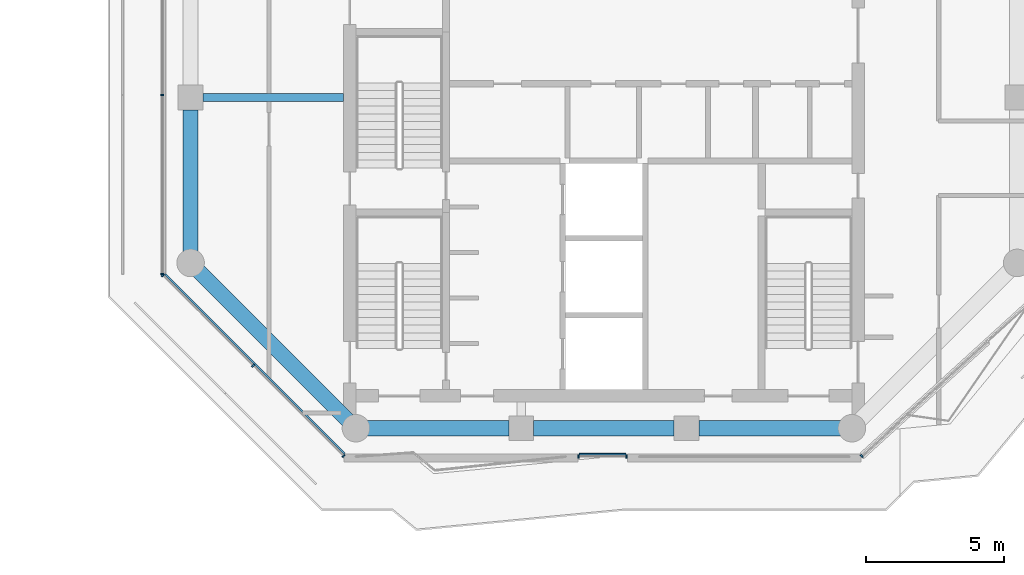
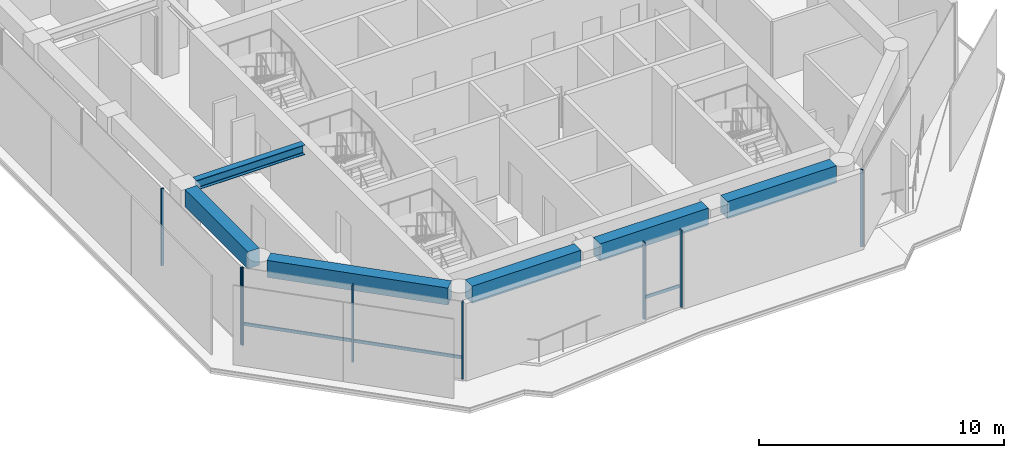
# One storey, part 2 of 23: 10 members, 6 beams, 4 elements without a shape of their own.
"""IFC4 building model written with IfcOpenShell, lengths in metres."""

from ifc_helpers import new_model, si_unit, direction, frame, origin, origin_2d, place, context, subcontext, project, spatial, rectangle, i_section, extrude, material, layer, layer_set, material_profile, profile_set, type_object, element, aggregate, save


model = new_model("IFC4")

# Units and contexts
model_context = context("Model", 3, precision=1e-05, world=origin(), true_north=direction((0.0, 1.0)))
body_context = subcontext(model_context, "Body", "Model", "MODEL_VIEW")
ifc_project = project(units=[si_unit("LENGTHUNIT", "METRE"), si_unit("AREAUNIT", "SQUARE_METRE"), si_unit("VOLUMEUNIT", "CUBIC_METRE"), si_unit("PLANEANGLEUNIT", "RADIAN"), si_unit("MASSUNIT", "GRAM", prefix="KILO")], contexts=[model_context])

# Site, building, storey
site_placement = place(None, origin())
site = spatial("IfcSite", under=ifc_project, at=site_placement, CompositionType="ELEMENT")
building_placement = place(site_placement, origin())
building = spatial("IfcBuilding", under=site, at=building_placement, Name="Welwitschia Terrace Campus", CompositionType="ELEMENT")
storey_placement = place(building_placement, frame((0.0, 0.0, 205.39990234375)))
storey = spatial("IfcBuildingStorey", under=building, at=storey_placement, Name="L45", CompositionType="ELEMENT", Elevation=205.39990234375)

# Curtain wall, members
ifc_material_1 = material(Name="Bronze anodised aluminium", Category="aluminium")
ifc_layer = layer(ifc_material_1, 0.1201171875)
ifc_layer_set = layer_set([ifc_layer], Name="Bronze anodised aluminium")
curtain_wall_type = type_object("IfcCurtainWallType", Name="Curtain wall CW2 tower 6000", PredefinedType="NOTDEFINED", material=ifc_layer_set)
curtain_wall_1_placement = place(storey_placement, origin())
curtain_wall_1 = element("IfcCurtainWall", 1, at=curtain_wall_1_placement, inside=storey, type_object=curtain_wall_type, Name="CW L45.0.0", PredefinedType="NOTDEFINED")
ifc_material_2 = material(Name="Bronze anodised aluminium", Category="aluminium")
ifc_material_profile_1 = material_profile(ifc_material_2, rectangle(XDim=0.1201171875, YDim=0.06005859375, at=origin_2d()))
ifc_profile_set_1 = profile_set([ifc_material_profile_1], Name="Bronze anodised aluminium")
member_type_1 = type_object("IfcMemberType", Name="Mullion 60x120", PredefinedType="MULLION", material=ifc_profile_set_1)
member_1_placement = place(storey_placement, frame((-1.030029296875, 16.096923828125, 0.0), z_axis=(0.0, 0.0, 1.0), x_axis=(1.0, 0.0, 0.0)))
member_1 = element("IfcMember", 2, at=member_1_placement, type_object=member_type_1, Name="Mullion L45.0.0.3", PredefinedType="MULLION", context=body_context, shape_type="SweptSolid", body=[
    extrude(rectangle(XDim=0.1201171875, YDim=0.06005859375, at=origin_2d()), origin(), (0.0, 0.0, 1.0), 3.85009765625),
])
member_2_placement = place(storey_placement, frame((-1.030029296875, 9.603271484375, 0.0), z_axis=(0.0, 0.0, 1.0), x_axis=(1.0, 0.0, 0.0)))
member_2 = element("IfcMember", 3, at=member_2_placement, type_object=member_type_1, Name="Mullion L45.0.0.4", PredefinedType="MULLION", context=body_context, shape_type="SweptSolid", body=[
    extrude(rectangle(XDim=0.1201171875, YDim=0.06005859375, at=origin_2d()), origin(), (0.0, 0.0, 1.0), 3.85009765625),
])
aggregate(curtain_wall_1, [member_1, member_2])

curtain_wall_2_placement = place(storey_placement, origin())
curtain_wall_2 = element("IfcCurtainWall", 4, at=curtain_wall_2_placement, inside=storey, type_object=curtain_wall_type, Name="CW L45.1.0", PredefinedType="NOTDEFINED")
member_3_placement = place(storey_placement, frame((-1.0087890625, 9.55224609375, 0.0), z_axis=(0.0, 0.0, 1.0), x_axis=(0.707106781187, 0.707106781187, 0.0)))
member_3 = element("IfcMember", 5, at=member_3_placement, type_object=member_type_1, Name="Mullion L45.1.0.0", PredefinedType="MULLION", context=body_context, shape_type="SweptSolid", body=[
    extrude(rectangle(XDim=0.1201171875, YDim=0.06005859375, at=origin_2d()), origin(), (0.0, 0.0, 1.0), 3.85009765625),
])
member_4_placement = place(storey_placement, frame((2.271728515625, 6.271728515625, 0.0), z_axis=(0.0, 0.0, 1.0), x_axis=(0.707106781187, 0.707106781187, 0.0)))
member_4 = element("IfcMember", 6, at=member_4_placement, type_object=member_type_1, Name="Mullion L45.1.0.1", PredefinedType="MULLION", context=body_context, shape_type="SweptSolid", body=[
    extrude(rectangle(XDim=0.1201171875, YDim=0.06005859375, at=origin_2d()), origin(), (0.0, 0.0, 1.0), 3.85009765625),
])
member_5_placement = place(storey_placement, frame((5.55224609375, 2.9912109375, 0.0), z_axis=(0.0, 0.0, 1.0), x_axis=(0.707106781187, 0.707106781187, 0.0)))
member_5 = element("IfcMember", 7, at=member_5_placement, type_object=member_type_1, Name="Mullion L45.1.0.2", PredefinedType="MULLION", context=body_context, shape_type="SweptSolid", body=[
    extrude(rectangle(XDim=0.1201171875, YDim=0.06005859375, at=origin_2d()), origin(), (0.0, 0.0, 1.0), 3.85009765625),
])

curtain_wall_3_placement = place(storey_placement, origin())
curtain_wall_3 = element("IfcCurtainWall", 8, at=curtain_wall_3_placement, inside=storey, type_object=curtain_wall_type, Name="CW L45.2.S0", PredefinedType="NOTDEFINED")
member_6_placement = place(storey_placement, frame((14.08349609375, 2.969970703125, 0.0), z_axis=(0.0, 0.0, 1.0), x_axis=(0.0, 1.0, 0.0)))
member_6 = element("IfcMember", 9, at=member_6_placement, type_object=member_type_1, Name="Mullion L45.2.S0.0", PredefinedType="MULLION", context=body_context, shape_type="SweptSolid", body=[
    extrude(rectangle(XDim=0.1201171875, YDim=0.06005859375, at=origin_2d()), origin(), (0.0, 0.0, 1.0), 3.85009765625),
])
member_7_placement = place(storey_placement, frame((15.823486328125, 2.969970703125, 0.0), z_axis=(0.0, 0.0, 1.0), x_axis=(0.0, 1.0, 0.0)))
member_7 = element("IfcMember", 10, at=member_7_placement, type_object=member_type_1, Name="Mullion L45.2.S0.1", PredefinedType="MULLION", context=body_context, shape_type="SweptSolid", body=[
    extrude(rectangle(XDim=0.1201171875, YDim=0.06005859375, at=origin_2d()), origin(), (0.0, 0.0, 1.0), 3.85009765625),
])

# Curtain wall, member
curtain_wall_4_placement = place(storey_placement, origin())
curtain_wall_4 = element("IfcCurtainWall", 11, at=curtain_wall_4_placement, inside=storey, type_object=curtain_wall_type, Name="CW L45.3.0", PredefinedType="NOTDEFINED")
member_8_placement = place(storey_placement, frame((24.355712890625, 2.990234375, 0.0), z_axis=(0.0, 0.0, 1.0), x_axis=(-0.673062173385, 0.739585904921, 0.0)))
member_8 = element("IfcMember", 12, at=member_8_placement, type_object=member_type_1, Name="Mullion L45.3.0.0", PredefinedType="MULLION", context=body_context, shape_type="SweptSolid", body=[
    extrude(rectangle(XDim=0.1201171875, YDim=0.06005859375, at=origin_2d()), origin(), (0.0, 0.0, 1.0), 3.85009765625),
])
aggregate(curtain_wall_4, [member_8])

# Beams
ifc_material_3 = material(Name="Steel S355", Category="steel")
ifc_material_profile_2 = material_profile(ifc_material_3, i_section(OverallWidth=0.300048828125, OverallDepth=0.489990234375, WebThickness=0.011962890625, FlangeThickness=0.02294921875, FilletRadius=0.027099609375, at=origin_2d()))
ifc_profile_set_2 = profile_set([ifc_material_profile_2], Name="Steel S355")
beam_type_1 = type_object("IfcBeamType", Name="Primary beam HE 500 A", PredefinedType="BEAM", material=ifc_profile_set_2)
beam_1_placement = place(storey_placement, frame((0.450439453125, 16.0, 3.60498046875), z_axis=(1.0, 0.0, 0.0), x_axis=(0.0, 1.0, 0.0)))
element("IfcBeam", 13, at=beam_1_placement, inside=storey, type_object=beam_type_1, Name="Primary beam PB5", PredefinedType="BEAM", context=body_context, shape_type="SweptSolid", body=[
    extrude(i_section(OverallWidth=0.300048828125, OverallDepth=0.489990234375, WebThickness=0.011962890625, FlangeThickness=0.02294921875, FilletRadius=0.027099609375, at=origin_2d()), origin(), (0.0, 0.0, 1.0), 5.099609375),
])
ifc_material_4 = material(Name="Concrete C50/60", Category="concrete")
ifc_material_profile_3 = material_profile(ifc_material_4, rectangle(XDim=0.550048828125, YDim=0.85009765625, at=origin_2d()))
ifc_profile_set_3 = profile_set([ifc_material_profile_3], Name="Concrete C50/60")
beam_type_2 = type_object("IfcBeamType", Name="Ring spandrel 550x850", PredefinedType="SPANDREL", material=ifc_profile_set_3)
beam_2_placement = place(storey_placement, frame((0.2958984375, 9.7041015625, 3.425048828125), z_axis=(0.707106781187, -0.707106781187, 0.0), x_axis=(0.707106781187, 0.707106781187, 0.0)))
element("IfcBeam", 14, at=beam_2_placement, inside=storey, type_object=beam_type_2, Name="Spandrel SP3", PredefinedType="SPANDREL", context=body_context, shape_type="SweptSolid", body=[
    extrude(rectangle(XDim=0.550048828125, YDim=0.85009765625, at=origin_2d()), origin(), (0.0, 0.0, 1.0), 7.6484375),
])
beam_3_placement = place(storey_placement, frame((6.41845703125, 4.0, 3.425048828125), z_axis=(1.0, 0.0, 0.0), x_axis=(0.0, 1.0, 0.0)))
element("IfcBeam", 15, at=beam_3_placement, inside=storey, type_object=beam_type_2, Name="Spandrel SP3", PredefinedType="SPANDREL", context=body_context, shape_type="SweptSolid", body=[
    extrude(rectangle(XDim=0.550048828125, YDim=0.85009765625, at=origin_2d()), origin(), (0.0, 0.0, 1.0), 5.131103515625),
])
beam_4_placement = place(storey_placement, frame((12.450439453125, 4.0, 3.425048828125), z_axis=(1.0, 0.0, 0.0), x_axis=(0.0, 1.0, 0.0)))
element("IfcBeam", 16, at=beam_4_placement, inside=storey, type_object=beam_type_2, Name="Spandrel SP3", PredefinedType="SPANDREL", context=body_context, shape_type="SweptSolid", body=[
    extrude(rectangle(XDim=0.550048828125, YDim=0.85009765625, at=origin_2d()), origin(), (0.0, 0.0, 1.0), 5.09912109375),
])
for number, where, z_axis, x_axis, name in (
    (17, (18.450439453125, 4.0, 3.425048828125), (1.0, 0.0, 0.0), (0.0, 1.0, 0.0), "Spandrel SP3"),
    (18, (0.0, 15.549560546875, 3.425048828125), (0.0, -1.0, 0.0), (1.0, 0.0, 0.0), "Spandrel SP3"),
):
    element("IfcBeam", number, at=place(storey_placement, frame(where, z_axis=z_axis, x_axis=x_axis)), inside=storey, type_object=beam_type_2, Name=name, PredefinedType="SPANDREL", context=body_context, shape_type="SweptSolid", body=[
        extrude(rectangle(XDim=0.550048828125, YDim=0.85009765625, at=origin_2d()), origin(), (0.0, 0.0, 1.0), 5.131103515625),
    ])

# Member
ifc_material_5 = material(Name="Bronze anodised aluminium", Category="aluminium")
ifc_material_profile_4 = material_profile(ifc_material_5, rectangle(XDim=0.06005859375, YDim=0.14990234375, at=origin_2d()))
ifc_profile_set_4 = profile_set([ifc_material_profile_4], Name="Bronze anodised aluminium")
member_type_2 = type_object("IfcMemberType", Name="Transom 60x150", PredefinedType="USERDEFINED", material=ifc_profile_set_4)
member_9_placement = place(storey_placement, frame((-0.923828125, 9.594482421875, 1.0), z_axis=(0.707106781187, -0.707106781187, 0.0), x_axis=(0.707106781187, 0.707106781187, 0.0)))
member_9 = element("IfcMember", 19, at=member_9_placement, type_object=member_type_2, Name="Transom L45.1.0", ObjectType="TRANSOM", PredefinedType="USERDEFINED", context=body_context, shape_type="SweptSolid", body=[
    extrude(rectangle(XDim=0.06005859375, YDim=0.14990234375, at=origin_2d()), origin(), (0.0, 0.0, 1.0), 9.21826171875),
])

aggregate(curtain_wall_2, [member_3, member_4, member_5, member_9])

member_10_placement = place(storey_placement, frame((14.113525390625, 3.06005859375, 1.0), z_axis=(1.0, 0.0, 0.0), x_axis=(0.0, 1.0, 0.0)))
member_10 = element("IfcMember", 20, at=member_10_placement, type_object=member_type_2, Name="Transom L45.2.S0", ObjectType="TRANSOM", PredefinedType="USERDEFINED", context=body_context, shape_type="SweptSolid", body=[
    extrude(rectangle(XDim=0.06005859375, YDim=0.14990234375, at=origin_2d()), origin(), (0.0, 0.0, 1.0), 1.679931640625),
])

aggregate(curtain_wall_3, [member_6, member_7, member_10])

save(model, "model.ifc")
